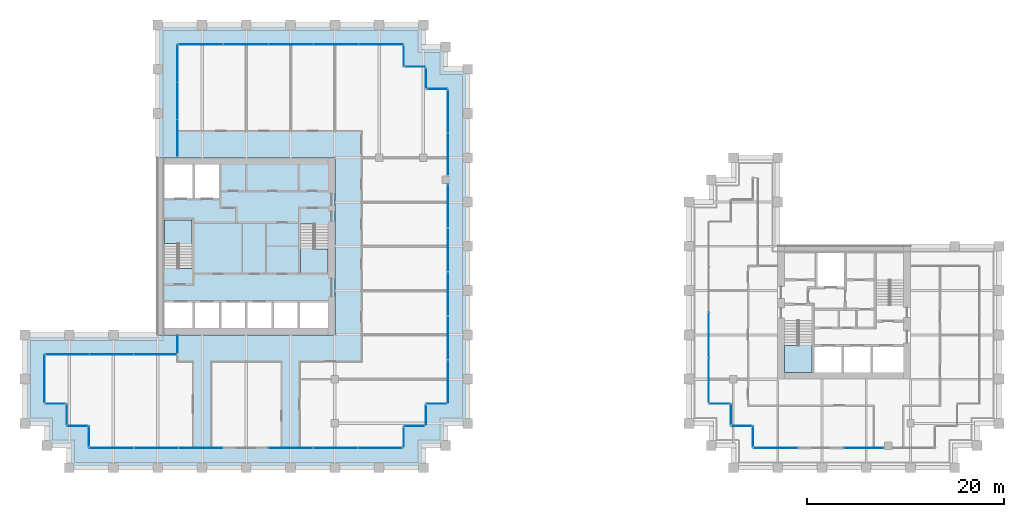
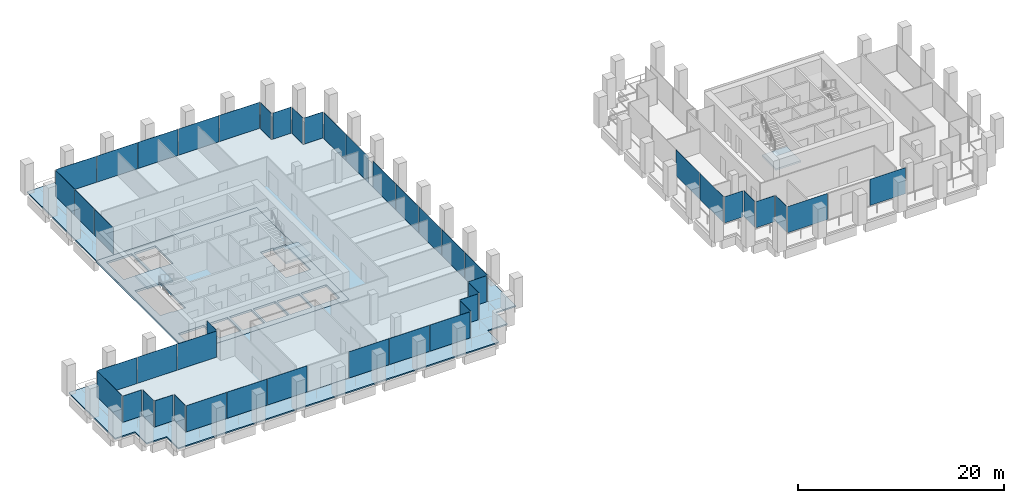
# One storey, part 39 of 46: 46 plates, 6 slabs, 31 elements without a shape of their own.
"""IFC4 building model written with IfcOpenShell, lengths in metres."""

import ifcopenshell
import ifcopenshell.guid

model = None  # the IFC model being written
_history = None  # IfcOwnerHistory: only IFC2X3 demands one
_inside = {}  # id of a spatial element -> (the spatial element, [elements in it])
_under = {}  # id of a project, library or spatial element -> (it, [spatial elements below it])
_declared = {}  # id of a project -> (the project, [libraries it declares])
_typed = {}  # id of a type object -> (the type object, [elements of that type])
_made_of = {}  # id of a material, layer set ... -> (it, [elements and type objects made of it])


def new_model(schema):
    """Start an empty IFC model of exactly this schema.

    Asked for "IFC4X3", IfcOpenShell would pick the latest addendum, in which some entities
    have other attributes; the version numbers below select the first issue.
    IFC2X3 requires an IfcOwnerHistory on every rooted entity: one is made here for all.
    """
    global model, _history
    if schema == "IFC4X3":
        model = ifcopenshell.file(schema_version=(4, 3, 0, 0))
    else:
        model = ifcopenshell.file(schema=schema)
    _inside.clear()
    _under.clear()
    _declared.clear()
    _typed.clear()
    _made_of.clear()
    _history = None
    if model.schema == "IFC2X3":
        org = make("IfcOrganization", Name="unknown")
        user = make(
            "IfcPersonAndOrganization",
            ThePerson=make("IfcPerson", FamilyName="unknown"),
            TheOrganization=org,
        )
        app = make(
            "IfcApplication",
            ApplicationDeveloper=org,
            Version="unknown",
            ApplicationFullName="unknown",
            ApplicationIdentifier="unknown",
        )
        _history = make(
            "IfcOwnerHistory",
            OwningUser=user,
            OwningApplication=app,
            ChangeAction="ADDED",
            CreationDate=0,
        )
    return model


def make(cls, **values):
    """One entity of the class cls with the attributes given. An attribute that is None is left unset."""
    return model.create_entity(
        cls, **{name: value for name, value in values.items() if value is not None}
    )


def rooted(cls, **values):
    """An entity with a GlobalId (a new one), such as an element, a storey or a relation."""
    return make(cls, GlobalId=ifcopenshell.guid.new(), OwnerHistory=_history, **values)


def si_unit(unit_type, name, prefix=None):
    """IfcSIUnit, for example si_unit("LENGTHUNIT", "METRE", prefix="MILLI")."""
    return make("IfcSIUnit", UnitType=unit_type, Prefix=prefix, Name=name)


def assignment(units):
    """IfcUnitAssignment: the units of a project."""
    return None if units is None else make("IfcUnitAssignment", Units=units)


def point(xyz):
    """IfcCartesianPoint."""
    return None if xyz is None else make("IfcCartesianPoint", Coordinates=xyz)


def direction(xyz):
    """IfcDirection."""
    return None if xyz is None else make("IfcDirection", DirectionRatios=xyz)


def frame(location, z_axis=None, x_axis=None):
    """IfcAxis2Placement3D, a coordinate frame: its origin and axes. An axis left out is left unset."""
    return make(
        "IfcAxis2Placement3D",
        Location=point(location),
        Axis=direction(z_axis),
        RefDirection=direction(x_axis),
    )


def frame_2d(location, x_axis=None):
    """IfcAxis2Placement2D, a coordinate frame in the plane: its origin and x axis."""
    return make(
        "IfcAxis2Placement2D", Location=point(location), RefDirection=direction(x_axis)
    )


def origin():
    """The frame at (0, 0, 0) with its axes left unset."""
    return frame((0.0, 0.0, 0.0))


def origin_2d():
    """The frame at (0, 0) in the plane with its x axis left unset."""
    return frame_2d((0.0, 0.0))


def place(relative_to, where):
    """IfcLocalPlacement: puts the frame where relative to a parent placement (None: the world)."""
    return make(
        "IfcLocalPlacement", PlacementRelTo=relative_to, RelativePlacement=where
    )


def context(
    kind, dimensions, precision=None, world=None, true_north=None, identifier=None
):
    """IfcGeometricRepresentationContext, for example the 3D "Model" context."""
    return make(
        "IfcGeometricRepresentationContext",
        ContextIdentifier=identifier,
        ContextType=kind,
        CoordinateSpaceDimension=dimensions,
        Precision=precision,
        WorldCoordinateSystem=world,
        TrueNorth=true_north,
    )


def subcontext(parent, identifier, kind, view, scale=None):
    """IfcGeometricRepresentationSubContext, for example "Body" below "Model"."""
    return make(
        "IfcGeometricRepresentationSubContext",
        ContextIdentifier=identifier,
        ContextType=kind,
        ParentContext=parent,
        TargetScale=scale,
        TargetView=view,
    )


def project(units=None, contexts=None):
    """IfcProject with its units and contexts."""
    return rooted(
        "IfcProject",
        Name="project",
        RepresentationContexts=contexts,
        UnitsInContext=assignment(units),
    )


def spatial(cls, under=None, at=None, **own):
    """A site, building, storey or space (cls), placed at a placement, below another one or the project."""
    s = rooted(cls, ObjectPlacement=at, **own)
    if under is not None:
        _under.setdefault(under.id(), (under, []))[1].append(s)
    return s


def polyline(points):
    """IfcPolyline through the points."""
    return make("IfcPolyline", Points=[point(p) for p in points])


def profile(cls, at=None, kind="AREA", **sizes):
    """A parametric profile (cls). Its sizes go by their IFC names, for example OverallWidth=200.0."""
    return make(cls, ProfileType=kind, Position=at, **sizes)


def rectangle(**sizes):
    """IfcRectangleProfileDef."""
    return profile("IfcRectangleProfileDef", **sizes)


def outline(outer, holes=None, kind="AREA"):
    """IfcArbitraryClosedProfileDef: a profile drawn as a closed curve; with holes, ...WithVoids."""
    if holes is None:
        return make("IfcArbitraryClosedProfileDef", ProfileType=kind, OuterCurve=outer)
    return make(
        "IfcArbitraryProfileDefWithVoids",
        ProfileType=kind,
        OuterCurve=outer,
        InnerCurves=holes,
    )


def extrude(swept, where, along, depth):
    """IfcExtrudedAreaSolid: the profile swept, set in the frame where, extruded along a direction by depth."""
    return make(
        "IfcExtrudedAreaSolid",
        SweptArea=swept,
        Position=where,
        ExtrudedDirection=direction(along),
        Depth=depth,
    )


def shape(context_of_items, identifier, shape_type, items):
    """IfcShapeRepresentation: the items that make up one representation, for example the "Body"."""
    return make(
        "IfcShapeRepresentation",
        ContextOfItems=context_of_items,
        RepresentationIdentifier=identifier,
        RepresentationType=shape_type,
        Items=items,
    )


def material(Name=None, Category=None):
    """IfcMaterial."""
    return make("IfcMaterial", Name=Name, Category=Category)


def layer(
    of_material, thickness, ventilated=None, Name=None, Category=None, Priority=None
):
    """IfcMaterialLayer: one layer of a wall or slab, of a material (None: an air gap)."""
    return make(
        "IfcMaterialLayer",
        Material=of_material,
        LayerThickness=thickness,
        IsVentilated=ventilated,
        Name=Name,
        Category=Category,
        Priority=Priority,
    )


def layer_set(layers, Name=None):
    """IfcMaterialLayerSet."""
    return make("IfcMaterialLayerSet", MaterialLayers=layers, LayerSetName=Name)


def made_of(thing, what):
    """Note that an element or type object is made of a material, layer set ...; save() writes the relation."""
    if what is not None:
        _made_of.setdefault(what.id(), (what, []))[1].append(thing)
    return thing


def type_object(cls, material=None, **own):
    """A type object (cls), such as IfcWallType, which elements share."""
    return made_of(rooted(cls, **own), material)


def element(
    cls,
    number,
    at=None,
    inside=None,
    cuts=None,
    type_object=None,
    material=None,
    context=None,
    identifier="Body",
    shape_type=None,
    held_by="IfcProductDefinitionShape",
    body=None,
    shapes=None,
    **own,
):
    """One element of the class cls, such as IfcWall. Its Tag is "e" and its number.

    at: its placement. inside: the storey or other place that contains it. cuts: it is an
    opening in that element (IfcRelVoidsElement). A single representation is given by context,
    identifier, shape_type and body (its items); several are given by shapes. held_by: the class
    of the entity that holds the representations. save() writes the other relations.
    """
    e = rooted(cls, Tag="e%d" % number, ObjectPlacement=at, **own)
    if body is not None:
        shapes = [shape(context, identifier, shape_type, body)]
    if shapes is not None:
        e.Representation = make(held_by, Representations=shapes)
    if inside is not None:
        _inside.setdefault(inside.id(), (inside, []))[1].append(e)
    if cuts is not None:
        rooted(
            "IfcRelVoidsElement", RelatingBuildingElement=cuts, RelatedOpeningElement=e
        )
    if type_object is not None:
        _typed.setdefault(type_object.id(), (type_object, []))[1].append(e)
    return made_of(e, material)


def aggregate(whole, parts):
    """IfcRelAggregates: a whole, such as a stair, and the parts it consists of."""
    return rooted("IfcRelAggregates", RelatingObject=whole, RelatedObjects=parts)


def save(model, path):
    """Write the relations noted so far, then the file.

    IfcRelAggregates (storeys below a building ...), IfcRelContainedInSpatialStructure (elements
    in a storey), IfcRelDefinesByType, IfcRelAssociatesMaterial and IfcRelDeclares: one each for
    every whole, place, type object, material and project.
    """
    for whole, parts in _under.values():
        aggregate(whole, parts)
    for where, things in _inside.values():
        rooted(
            "IfcRelContainedInSpatialStructure",
            RelatedElements=things,
            RelatingStructure=where,
        )
    for kind, things in _typed.values():
        rooted("IfcRelDefinesByType", RelatedObjects=things, RelatingType=kind)
    for what, things in _made_of.values():
        rooted("IfcRelAssociatesMaterial", RelatedObjects=things, RelatingMaterial=what)
    for by, libraries in _declared.values():
        rooted("IfcRelDeclares", RelatingContext=by, RelatedDefinitions=libraries)
    model.write(path)


model = new_model("IFC4")

# Units and contexts
model_context = context("Model", 3, precision=1e-05, world=origin(), true_north=direction((0.0, 1.0)))
body_context = subcontext(model_context, "Body", "Model", "MODEL_VIEW")
ifc_project = project(units=[si_unit("LENGTHUNIT", "METRE"), si_unit("AREAUNIT", "SQUARE_METRE"), si_unit("VOLUMEUNIT", "CUBIC_METRE"), si_unit("PLANEANGLEUNIT", "RADIAN"), si_unit("MASSUNIT", "GRAM", prefix="KILO")], contexts=[model_context])

# Site, building, storey
site_placement = place(None, origin())
site = spatial("IfcSite", under=ifc_project, at=site_placement, CompositionType="ELEMENT")
building_placement = place(site_placement, origin())
building = spatial("IfcBuilding", under=site, at=building_placement, Name="Altepetl Exchange Towers", CompositionType="ELEMENT")
storey_placement = place(building_placement, frame((0.0, 0.0, 131.60009765625)))
storey = spatial("IfcBuildingStorey", under=building, at=storey_placement, Name="L32", CompositionType="ELEMENT", Elevation=131.60009765625)

# Slabs
ifc_material_1 = material(Name="Concrete C40/50", Category="concrete")
ifc_layer_1 = layer(ifc_material_1, 0.14990234375)
ifc_layer_set_1 = layer_set([ifc_layer_1], Name="Concrete C40/50")
slab_type_1 = type_object("IfcSlabType", Name="Composite floor slab 150", PredefinedType="FLOOR", material=ifc_layer_set_1)
slab_1_placement = place(storey_placement, frame((0.0, 0.0, -0.150146484375)))
element("IfcSlab", 1, at=slab_1_placement, inside=storey, type_object=slab_type_1, Name="slab:A:L32:strip0", PredefinedType="FLOOR", context=body_context, shape_type="SweptSolid", body=[
    extrude(outline(polyline([(42.5, 70.0), (42.5, 58.5), (58.5, 58.5), (58.5, 40.5), (42.5, 40.5), (42.5, 38.5), (29.0, 38.5), (29.0, 33.5), (31.25, 33.5), (31.25, 31.25), (33.5, 31.25), (33.5, 29.0), (65.5, 29.0), (65.5, 31.25), (67.75, 31.25), (67.75, 33.5), (70.0, 33.5), (70.0, 65.5), (67.75, 65.5), (67.75, 67.75), (65.5, 67.75), (65.5, 70.0), (42.5, 70.0)])), origin(), (0.0, 0.0, 1.0), 0.150146484375),
])
ifc_layer_2 = layer(ifc_material_1, 0.25)
ifc_layer_set_2 = layer_set([ifc_layer_2], Name="Concrete C40/50")
slab_type_2 = type_object("IfcSlabType", Name="Core floor slab 250", PredefinedType="FLOOR", material=ifc_layer_set_2)
slab_2_placement = place(storey_placement, frame((0.0, 0.0, -0.25)))
element("IfcSlab", 2, at=slab_2_placement, inside=storey, type_object=slab_type_2, Name="slab:A:L32:core0", PredefinedType="FLOOR", context=body_context, shape_type="SweptSolid", body=[
    extrude(outline(polyline([(40.5, 40.5), (58.5, 40.5), (58.5, 58.5), (40.5, 58.5), (40.5, 40.5)]), holes=[polyline([(41.199951171875, 43.800048828125), (44.06689453125, 43.800048828125), (44.06689453125, 41.199951171875), (41.199951171875, 41.199951171875), (41.199951171875, 43.800048828125)]), polyline([(44.26708984375, 43.800048828125), (46.73291015625, 43.800048828125), (46.73291015625, 41.199951171875), (44.26708984375, 41.199951171875), (44.26708984375, 43.800048828125)]), polyline([(46.93310546875, 43.800048828125), (49.39990234375, 43.800048828125), (49.39990234375, 41.199951171875), (46.93310546875, 41.199951171875), (46.93310546875, 43.800048828125)]), polyline([(52.06689453125, 43.800048828125), (52.06689453125, 41.199951171875), (49.60009765625, 41.199951171875), (49.60009765625, 43.800048828125), (52.06689453125, 43.800048828125)]), polyline([(54.73291015625, 43.800048828125), (54.73291015625, 41.199951171875), (52.26708984375, 41.199951171875), (52.26708984375, 43.800048828125), (54.73291015625, 43.800048828125)]), polyline([(54.93310546875, 43.800048828125), (57.800048828125, 43.800048828125), (57.800048828125, 41.199951171875), (54.93310546875, 41.199951171875), (54.93310546875, 43.800048828125)]), polyline([(55.0, 51.7490234375), (56.449951171875, 51.7490234375), (56.449951171875, 51.64990234375), (57.800048828125, 51.64990234375), (57.800048828125, 46.800048828125), (55.0, 46.800048828125), (55.0, 51.7490234375)]), polyline([(44.0, 47.2509765625), (42.550048828125, 47.2509765625), (42.550048828125, 47.35009765625), (41.199951171875, 47.35009765625), (41.199951171875, 52.199951171875), (44.0, 52.199951171875), (44.0, 47.2509765625)]), polyline([(44.06689453125, 57.800048828125), (44.06689453125, 54.39990234375), (41.199951171875, 54.39990234375), (41.199951171875, 57.800048828125), (44.06689453125, 57.800048828125)]), polyline([(46.73291015625, 57.800048828125), (46.73291015625, 54.39990234375), (44.26708984375, 54.39990234375), (44.26708984375, 57.800048828125), (46.73291015625, 57.800048828125)])]), origin(), (0.0, 0.0, 1.0), 0.25),
])

# Curtain wall, plate
ifc_material_2 = material(Name="Aluminium 6063-T6 glazing", Category="aluminium")
curtain_wall_type = type_object("IfcCurtainWallType", Name="Loggia glazing system", PredefinedType="NOTDEFINED", material=ifc_material_2)
curtain_wall_1_placement = place(storey_placement, origin())
curtain_wall_1 = element("IfcCurtainWall", 3, at=curtain_wall_1_placement, inside=storey, type_object=curtain_wall_type, Name="CW1 run", PredefinedType="NOTDEFINED")
ifc_material_3 = material(Name="Glass 6-16-6 low emissivity", Category="glass")
ifc_layer_3 = layer(ifc_material_3, 0.028076171875)
ifc_layer_set_3 = layer_set([ifc_layer_3], Name="Glass 6-16-6 low emissivity")
plate_type = type_object("IfcPlateType", Name="Glass panel 28 double glazed", PredefinedType="CURTAIN_PANEL", material=ifc_layer_set_3)
plate_1_placement = place(storey_placement, frame((42.5, 39.53759765625, -0.000244140625), z_axis=(0.0, 0.0, 1.0), x_axis=(0.0, -1.0, 0.0)))
plate_1 = element("IfcPlate", 4, at=plate_1_placement, type_object=plate_type, Name="GP1 panel", PredefinedType="CURTAIN_PANEL", context=body_context, shape_type="SweptSolid", body=[
    extrude(rectangle(XDim=1.804931640625, YDim=0.028076171875, at=origin_2d()), origin(), (0.0, 0.0, 1.0), 3.10009765625),
])
aggregate(curtain_wall_1, [plate_1])

# Curtain wall, plates
curtain_wall_2_placement = place(storey_placement, origin())
curtain_wall_2 = element("IfcCurtainWall", 5, at=curtain_wall_2_placement, inside=storey, type_object=curtain_wall_type, Name="CW1 run", PredefinedType="NOTDEFINED")
plate_2_placement = place(storey_placement, frame((40.24755859375, 38.5, -0.000244140625), z_axis=(0.0, 0.0, 1.0), x_axis=(-1.0, 0.0, 0.0)))
plate_2 = element("IfcPlate", 6, at=plate_2_placement, type_object=plate_type, Name="GP1 panel", PredefinedType="CURTAIN_PANEL", context=body_context, shape_type="SweptSolid", body=[
    extrude(rectangle(XDim=4.385009765625, YDim=0.028076171875, at=origin_2d()), origin(), (0.0, 0.0, 1.0), 3.10009765625),
])
plate_3_placement = place(storey_placement, frame((35.78759765625, 38.5, -0.000244140625), z_axis=(0.0, 0.0, 1.0), x_axis=(-1.0, 0.0, 0.0)))
plate_3 = element("IfcPlate", 7, at=plate_3_placement, type_object=plate_type, Name="GP1 panel", PredefinedType="CURTAIN_PANEL", context=body_context, shape_type="SweptSolid", body=[
    extrude(rectangle(XDim=4.4150390625, YDim=0.028076171875, at=origin_2d()), origin(), (0.0, 0.0, 1.0), 3.10009765625),
])
plate_4_placement = place(storey_placement, frame((31.327392578125, 38.5, -0.000244140625), z_axis=(0.0, 0.0, 1.0), x_axis=(-1.0, 0.0, 0.0)))
plate_4 = element("IfcPlate", 8, at=plate_4_placement, type_object=plate_type, Name="GP1 panel", PredefinedType="CURTAIN_PANEL", context=body_context, shape_type="SweptSolid", body=[
    extrude(rectangle(XDim=4.385009765625, YDim=0.028076171875, at=origin_2d()), origin(), (0.0, 0.0, 1.0), 3.10009765625),
])
aggregate(curtain_wall_2, [plate_2, plate_3, plate_4])

# Curtain wall, plate
curtain_wall_3_placement = place(storey_placement, origin())
curtain_wall_3 = element("IfcCurtainWall", 9, at=curtain_wall_3_placement, inside=storey, type_object=curtain_wall_type, Name="CW1 run", PredefinedType="NOTDEFINED")
plate_5_placement = place(storey_placement, frame((29.0, 36.03759765625, -0.000244140625), z_axis=(0.0, 0.0, 1.0), x_axis=(0.0, -1.0, 0.0)))
plate_5 = element("IfcPlate", 10, at=plate_5_placement, type_object=plate_type, Name="GP1 panel", PredefinedType="CURTAIN_PANEL", context=body_context, shape_type="SweptSolid", body=[
    extrude(rectangle(XDim=4.804931640625, YDim=0.028076171875, at=origin_2d()), origin(), (0.0, 0.0, 1.0), 3.10009765625),
])
aggregate(curtain_wall_3, [plate_5])

curtain_wall_4_placement = place(storey_placement, origin())
curtain_wall_4 = element("IfcCurtainWall", 11, at=curtain_wall_4_placement, inside=storey, type_object=curtain_wall_type, Name="CW1 run", PredefinedType="NOTDEFINED")
plate_6_placement = place(storey_placement, frame((30.08740234375, 33.5, -0.000244140625)))
plate_6 = element("IfcPlate", 12, at=plate_6_placement, type_object=plate_type, Name="GP1 panel", PredefinedType="CURTAIN_PANEL", context=body_context, shape_type="SweptSolid", body=[
    extrude(rectangle(XDim=2.054931640625, YDim=0.028076171875, at=origin_2d()), origin(), (0.0, 0.0, 1.0), 3.10009765625),
])
aggregate(curtain_wall_4, [plate_6])

curtain_wall_5_placement = place(storey_placement, origin())
curtain_wall_5 = element("IfcCurtainWall", 13, at=curtain_wall_5_placement, inside=storey, type_object=curtain_wall_type, Name="CW1 run", PredefinedType="NOTDEFINED")
plate_7_placement = place(storey_placement, frame((31.25, 32.41259765625, -0.000244140625), z_axis=(0.0, 0.0, 1.0), x_axis=(0.0, -1.0, 0.0)))
plate_7 = element("IfcPlate", 14, at=plate_7_placement, type_object=plate_type, Name="GP1 panel", PredefinedType="CURTAIN_PANEL", context=body_context, shape_type="SweptSolid", body=[
    extrude(rectangle(XDim=2.054931640625, YDim=0.028076171875, at=origin_2d()), origin(), (0.0, 0.0, 1.0), 3.10009765625),
])
aggregate(curtain_wall_5, [plate_7])

curtain_wall_6_placement = place(storey_placement, origin())
curtain_wall_6 = element("IfcCurtainWall", 15, at=curtain_wall_6_placement, inside=storey, type_object=curtain_wall_type, Name="CW1 run", PredefinedType="NOTDEFINED")
plate_8_placement = place(storey_placement, frame((32.33740234375, 31.25, -0.000244140625)))
plate_8 = element("IfcPlate", 16, at=plate_8_placement, type_object=plate_type, Name="GP1 panel", PredefinedType="CURTAIN_PANEL", context=body_context, shape_type="SweptSolid", body=[
    extrude(rectangle(XDim=2.054931640625, YDim=0.028076171875, at=origin_2d()), origin(), (0.0, 0.0, 1.0), 3.10009765625),
])
aggregate(curtain_wall_6, [plate_8])

curtain_wall_7_placement = place(storey_placement, origin())
curtain_wall_7 = element("IfcCurtainWall", 17, at=curtain_wall_7_placement, inside=storey, type_object=curtain_wall_type, Name="CW1 run", PredefinedType="NOTDEFINED")
plate_9_placement = place(storey_placement, frame((33.5, 30.16259765625, -0.000244140625), z_axis=(0.0, 0.0, 1.0), x_axis=(0.0, -1.0, 0.0)))
plate_9 = element("IfcPlate", 18, at=plate_9_placement, type_object=plate_type, Name="GP1 panel", PredefinedType="CURTAIN_PANEL", context=body_context, shape_type="SweptSolid", body=[
    extrude(rectangle(XDim=2.054931640625, YDim=0.028076171875, at=origin_2d()), origin(), (0.0, 0.0, 1.0), 3.10009765625),
])
aggregate(curtain_wall_7, [plate_9])

# Curtain wall, plates
curtain_wall_8_placement = place(storey_placement, origin())
curtain_wall_8 = element("IfcCurtainWall", 19, at=curtain_wall_8_placement, inside=storey, type_object=curtain_wall_type, Name="CW1 run", PredefinedType="NOTDEFINED")
plate_10_placement = place(storey_placement, frame((35.79541015625, 29.0, -0.000244140625)))
plate_10 = element("IfcPlate", 20, at=plate_10_placement, type_object=plate_type, Name="GP1 panel", PredefinedType="CURTAIN_PANEL", context=body_context, shape_type="SweptSolid", body=[
    extrude(rectangle(XDim=4.470703125, YDim=0.028076171875, at=origin_2d()), origin(), (0.0, 0.0, 1.0), 3.10009765625),
])
plate_11_placement = place(storey_placement, frame((40.341064453125, 29.0, -0.000244140625)))
plate_11 = element("IfcPlate", 21, at=plate_11_placement, type_object=plate_type, Name="GP1 panel", PredefinedType="CURTAIN_PANEL", context=body_context, shape_type="SweptSolid", body=[
    extrude(rectangle(XDim=4.500732421875, YDim=0.028076171875, at=origin_2d()), origin(), (0.0, 0.0, 1.0), 3.10009765625),
])
plate_12_placement = place(storey_placement, frame((44.88671875, 29.0, -0.000244140625)))
plate_12 = element("IfcPlate", 22, at=plate_12_placement, type_object=plate_type, Name="GP1 panel", PredefinedType="CURTAIN_PANEL", context=body_context, shape_type="SweptSolid", body=[
    extrude(rectangle(XDim=4.470703125, YDim=0.028076171875, at=origin_2d()), origin(), (0.0, 0.0, 1.0), 3.10009765625),
])
aggregate(curtain_wall_8, [plate_10, plate_11, plate_12])

curtain_wall_9_placement = place(storey_placement, origin())
curtain_wall_9 = element("IfcCurtainWall", 23, at=curtain_wall_9_placement, inside=storey, type_object=curtain_wall_type, Name="CW1 run", PredefinedType="NOTDEFINED")
plate_13_placement = place(storey_placement, frame((54.038330078125, 29.0, -0.000244140625)))
plate_13 = element("IfcPlate", 24, at=plate_13_placement, type_object=plate_type, Name="GP1 panel", PredefinedType="CURTAIN_PANEL", context=body_context, shape_type="SweptSolid", body=[
    extrude(rectangle(XDim=4.470703125, YDim=0.028076171875, at=origin_2d()), origin(), (0.0, 0.0, 1.0), 3.10009765625),
])
plate_14_placement = place(storey_placement, frame((58.583984375, 29.0, -0.000244140625)))
plate_14 = element("IfcPlate", 25, at=plate_14_placement, type_object=plate_type, Name="GP1 panel", PredefinedType="CURTAIN_PANEL", context=body_context, shape_type="SweptSolid", body=[
    extrude(rectangle(XDim=4.500732421875, YDim=0.028076171875, at=origin_2d()), origin(), (0.0, 0.0, 1.0), 3.10009765625),
])
plate_15_placement = place(storey_placement, frame((63.129638671875, 29.0, -0.000244140625)))
plate_15 = element("IfcPlate", 26, at=plate_15_placement, type_object=plate_type, Name="GP1 panel", PredefinedType="CURTAIN_PANEL", context=body_context, shape_type="SweptSolid", body=[
    extrude(rectangle(XDim=4.470703125, YDim=0.028076171875, at=origin_2d()), origin(), (0.0, 0.0, 1.0), 3.10009765625),
])
aggregate(curtain_wall_9, [plate_13, plate_14, plate_15])

# Curtain wall, plate
curtain_wall_10_placement = place(storey_placement, origin())
curtain_wall_10 = element("IfcCurtainWall", 27, at=curtain_wall_10_placement, inside=storey, type_object=curtain_wall_type, Name="CW1 run", PredefinedType="NOTDEFINED")
plate_16_placement = place(storey_placement, frame((65.5, 30.08740234375, -0.000244140625), z_axis=(0.0, 0.0, 1.0), x_axis=(0.0, 1.0, 0.0)))
plate_16 = element("IfcPlate", 28, at=plate_16_placement, type_object=plate_type, Name="GP1 panel", PredefinedType="CURTAIN_PANEL", context=body_context, shape_type="SweptSolid", body=[
    extrude(rectangle(XDim=2.054931640625, YDim=0.028076171875, at=origin_2d()), origin(), (0.0, 0.0, 1.0), 3.10009765625),
])
aggregate(curtain_wall_10, [plate_16])

curtain_wall_11_placement = place(storey_placement, origin())
curtain_wall_11 = element("IfcCurtainWall", 29, at=curtain_wall_11_placement, inside=storey, type_object=curtain_wall_type, Name="CW1 run", PredefinedType="NOTDEFINED")
plate_17_placement = place(storey_placement, frame((66.58740234375, 31.25, -0.000244140625)))
plate_17 = element("IfcPlate", 30, at=plate_17_placement, type_object=plate_type, Name="GP1 panel", PredefinedType="CURTAIN_PANEL", context=body_context, shape_type="SweptSolid", body=[
    extrude(rectangle(XDim=2.054931640625, YDim=0.028076171875, at=origin_2d()), origin(), (0.0, 0.0, 1.0), 3.10009765625),
])
aggregate(curtain_wall_11, [plate_17])

curtain_wall_12_placement = place(storey_placement, origin())
curtain_wall_12 = element("IfcCurtainWall", 31, at=curtain_wall_12_placement, inside=storey, type_object=curtain_wall_type, Name="CW1 run", PredefinedType="NOTDEFINED")
plate_18_placement = place(storey_placement, frame((67.75, 32.33740234375, -0.000244140625), z_axis=(0.0, 0.0, 1.0), x_axis=(0.0, 1.0, 0.0)))
plate_18 = element("IfcPlate", 32, at=plate_18_placement, type_object=plate_type, Name="GP1 panel", PredefinedType="CURTAIN_PANEL", context=body_context, shape_type="SweptSolid", body=[
    extrude(rectangle(XDim=2.054931640625, YDim=0.028076171875, at=origin_2d()), origin(), (0.0, 0.0, 1.0), 3.10009765625),
])
aggregate(curtain_wall_12, [plate_18])

curtain_wall_13_placement = place(storey_placement, origin())
curtain_wall_13 = element("IfcCurtainWall", 33, at=curtain_wall_13_placement, inside=storey, type_object=curtain_wall_type, Name="CW1 run", PredefinedType="NOTDEFINED")
plate_19_placement = place(storey_placement, frame((68.83740234375, 33.5, -0.000244140625)))
plate_19 = element("IfcPlate", 34, at=plate_19_placement, type_object=plate_type, Name="GP1 panel", PredefinedType="CURTAIN_PANEL", context=body_context, shape_type="SweptSolid", body=[
    extrude(rectangle(XDim=2.054931640625, YDim=0.028076171875, at=origin_2d()), origin(), (0.0, 0.0, 1.0), 3.10009765625),
])
aggregate(curtain_wall_13, [plate_19])

# Curtain wall, plates
curtain_wall_14_placement = place(storey_placement, origin())
curtain_wall_14 = element("IfcCurtainWall", 35, at=curtain_wall_14_placement, inside=storey, type_object=curtain_wall_type, Name="CW1 run", PredefinedType="NOTDEFINED")
plate_20_placement = place(storey_placement, frame((70.0, 35.75048828125, -0.000244140625), z_axis=(0.0, 0.0, 1.0), x_axis=(0.0, 1.0, 0.0)))
plate_20 = element("IfcPlate", 36, at=plate_20_placement, type_object=plate_type, Name="GP1 panel", PredefinedType="CURTAIN_PANEL", context=body_context, shape_type="SweptSolid", body=[
    extrude(rectangle(XDim=4.381103515625, YDim=0.028076171875, at=origin_2d()), origin(), (0.0, 0.0, 1.0), 3.10009765625),
])
plate_21_placement = place(storey_placement, frame((70.0, 40.20654296875, -0.000244140625), z_axis=(0.0, 0.0, 1.0), x_axis=(0.0, 1.0, 0.0)))
plate_21 = element("IfcPlate", 37, at=plate_21_placement, type_object=plate_type, Name="GP1 panel", PredefinedType="CURTAIN_PANEL", context=body_context, shape_type="SweptSolid", body=[
    extrude(rectangle(XDim=4.410888671875, YDim=0.028076171875, at=origin_2d()), origin(), (0.0, 0.0, 1.0), 3.10009765625),
])
plate_22_placement = place(storey_placement, frame((70.0, 44.677490234375, -0.000244140625), z_axis=(0.0, 0.0, 1.0), x_axis=(0.0, 1.0, 0.0)))
plate_22 = element("IfcPlate", 38, at=plate_22_placement, type_object=plate_type, Name="GP1 panel", PredefinedType="CURTAIN_PANEL", context=body_context, shape_type="SweptSolid", body=[
    extrude(rectangle(XDim=4.410888671875, YDim=0.028076171875, at=origin_2d()), origin(), (0.0, 0.0, 1.0), 3.10009765625),
])
plate_23_placement = place(storey_placement, frame((70.0, 49.1484375, -0.000244140625), z_axis=(0.0, 0.0, 1.0), x_axis=(0.0, 1.0, 0.0)))
plate_23 = element("IfcPlate", 39, at=plate_23_placement, type_object=plate_type, Name="GP1 panel", PredefinedType="CURTAIN_PANEL", context=body_context, shape_type="SweptSolid", body=[
    extrude(rectangle(XDim=4.410888671875, YDim=0.028076171875, at=origin_2d()), origin(), (0.0, 0.0, 1.0), 3.10009765625),
])
plate_24_placement = place(storey_placement, frame((70.0, 53.6044921875, -0.000244140625), z_axis=(0.0, 0.0, 1.0), x_axis=(0.0, 1.0, 0.0)))
plate_24 = element("IfcPlate", 40, at=plate_24_placement, type_object=plate_type, Name="GP1 panel", PredefinedType="CURTAIN_PANEL", context=body_context, shape_type="SweptSolid", body=[
    extrude(rectangle(XDim=4.381103515625, YDim=0.028076171875, at=origin_2d()), origin(), (0.0, 0.0, 1.0), 3.10009765625),
])
aggregate(curtain_wall_14, [plate_20, plate_21, plate_22, plate_23, plate_24])

curtain_wall_15_placement = place(storey_placement, origin())
curtain_wall_15 = element("IfcCurtainWall", 41, at=curtain_wall_15_placement, inside=storey, type_object=curtain_wall_type, Name="CW1 run", PredefinedType="NOTDEFINED")
plate_25_placement = place(storey_placement, frame((70.0, 58.85498046875, -0.000244140625), z_axis=(0.0, 0.0, 1.0), x_axis=(0.0, 1.0, 0.0)))
plate_25 = element("IfcPlate", 42, at=plate_25_placement, type_object=plate_type, Name="GP1 panel", PredefinedType="CURTAIN_PANEL", context=body_context, shape_type="SweptSolid", body=[
    extrude(rectangle(XDim=4.300048828125, YDim=0.028076171875, at=origin_2d()), origin(), (0.0, 0.0, 1.0), 3.10009765625),
])
plate_26_placement = place(storey_placement, frame((70.0, 63.215087890625, -0.000244140625), z_axis=(0.0, 0.0, 1.0), x_axis=(0.0, 1.0, 0.0)))
plate_26 = element("IfcPlate", 43, at=plate_26_placement, type_object=plate_type, Name="GP1 panel", PredefinedType="CURTAIN_PANEL", context=body_context, shape_type="SweptSolid", body=[
    extrude(rectangle(XDim=4.300048828125, YDim=0.028076171875, at=origin_2d()), origin(), (0.0, 0.0, 1.0), 3.10009765625),
])
aggregate(curtain_wall_15, [plate_25, plate_26])

# Curtain wall, plate
curtain_wall_16_placement = place(storey_placement, origin())
curtain_wall_16 = element("IfcCurtainWall", 44, at=curtain_wall_16_placement, inside=storey, type_object=curtain_wall_type, Name="CW1 run", PredefinedType="NOTDEFINED")
plate_27_placement = place(storey_placement, frame((68.91259765625, 65.5, -0.000244140625), z_axis=(0.0, 0.0, 1.0), x_axis=(-1.0, 0.0, 0.0)))
plate_27 = element("IfcPlate", 45, at=plate_27_placement, type_object=plate_type, Name="GP1 panel", PredefinedType="CURTAIN_PANEL", context=body_context, shape_type="SweptSolid", body=[
    extrude(rectangle(XDim=2.054931640625, YDim=0.028076171875, at=origin_2d()), origin(), (0.0, 0.0, 1.0), 3.10009765625),
])
aggregate(curtain_wall_16, [plate_27])

curtain_wall_17_placement = place(storey_placement, origin())
curtain_wall_17 = element("IfcCurtainWall", 46, at=curtain_wall_17_placement, inside=storey, type_object=curtain_wall_type, Name="CW1 run", PredefinedType="NOTDEFINED")
plate_28_placement = place(storey_placement, frame((67.75, 66.58740234375, -0.000244140625), z_axis=(0.0, 0.0, 1.0), x_axis=(0.0, 1.0, 0.0)))
plate_28 = element("IfcPlate", 47, at=plate_28_placement, type_object=plate_type, Name="GP1 panel", PredefinedType="CURTAIN_PANEL", context=body_context, shape_type="SweptSolid", body=[
    extrude(rectangle(XDim=2.054931640625, YDim=0.028076171875, at=origin_2d()), origin(), (0.0, 0.0, 1.0), 3.10009765625),
])
aggregate(curtain_wall_17, [plate_28])

curtain_wall_18_placement = place(storey_placement, origin())
curtain_wall_18 = element("IfcCurtainWall", 48, at=curtain_wall_18_placement, inside=storey, type_object=curtain_wall_type, Name="CW1 run", PredefinedType="NOTDEFINED")
plate_29_placement = place(storey_placement, frame((66.66259765625, 67.75, -0.000244140625), z_axis=(0.0, 0.0, 1.0), x_axis=(-1.0, 0.0, 0.0)))
plate_29 = element("IfcPlate", 49, at=plate_29_placement, type_object=plate_type, Name="GP1 panel", PredefinedType="CURTAIN_PANEL", context=body_context, shape_type="SweptSolid", body=[
    extrude(rectangle(XDim=2.054931640625, YDim=0.028076171875, at=origin_2d()), origin(), (0.0, 0.0, 1.0), 3.10009765625),
])
aggregate(curtain_wall_18, [plate_29])

curtain_wall_19_placement = place(storey_placement, origin())
curtain_wall_19 = element("IfcCurtainWall", 50, at=curtain_wall_19_placement, inside=storey, type_object=curtain_wall_type, Name="CW1 run", PredefinedType="NOTDEFINED")
plate_30_placement = place(storey_placement, frame((65.5, 68.83740234375, -0.000244140625), z_axis=(0.0, 0.0, 1.0), x_axis=(0.0, 1.0, 0.0)))
plate_30 = element("IfcPlate", 51, at=plate_30_placement, type_object=plate_type, Name="GP1 panel", PredefinedType="CURTAIN_PANEL", context=body_context, shape_type="SweptSolid", body=[
    extrude(rectangle(XDim=2.054931640625, YDim=0.028076171875, at=origin_2d()), origin(), (0.0, 0.0, 1.0), 3.10009765625),
])
aggregate(curtain_wall_19, [plate_30])

# Curtain wall, plates
curtain_wall_20_placement = place(storey_placement, origin())
curtain_wall_20 = element("IfcCurtainWall", 52, at=curtain_wall_20_placement, inside=storey, type_object=curtain_wall_type, Name="CW1 run", PredefinedType="NOTDEFINED")
plate_31_placement = place(storey_placement, frame((63.1923828125, 70.0, -0.000244140625), z_axis=(0.0, 0.0, 1.0), x_axis=(-1.0, 0.0, 0.0)))
plate_31 = element("IfcPlate", 53, at=plate_31_placement, type_object=plate_type, Name="GP1 panel", PredefinedType="CURTAIN_PANEL", context=body_context, shape_type="SweptSolid", body=[
    extrude(rectangle(XDim=4.4951171875, YDim=0.028076171875, at=origin_2d()), origin(), (0.0, 0.0, 1.0), 3.10009765625),
])
plate_32_placement = place(storey_placement, frame((58.62255859375, 70.0, -0.000244140625), z_axis=(0.0, 0.0, 1.0), x_axis=(-1.0, 0.0, 0.0)))
plate_32 = element("IfcPlate", 54, at=plate_32_placement, type_object=plate_type, Name="GP1 panel", PredefinedType="CURTAIN_PANEL", context=body_context, shape_type="SweptSolid", body=[
    extrude(rectangle(XDim=4.52490234375, YDim=0.028076171875, at=origin_2d()), origin(), (0.0, 0.0, 1.0), 3.10009765625),
])
plate_33_placement = place(storey_placement, frame((54.03759765625, 70.0, -0.000244140625), z_axis=(0.0, 0.0, 1.0), x_axis=(-1.0, 0.0, 0.0)))
plate_33 = element("IfcPlate", 55, at=plate_33_placement, type_object=plate_type, Name="GP1 panel", PredefinedType="CURTAIN_PANEL", context=body_context, shape_type="SweptSolid", body=[
    extrude(rectangle(XDim=4.52490234375, YDim=0.028076171875, at=origin_2d()), origin(), (0.0, 0.0, 1.0), 3.10009765625),
])
plate_34_placement = place(storey_placement, frame((49.452392578125, 70.0, -0.000244140625), z_axis=(0.0, 0.0, 1.0), x_axis=(-1.0, 0.0, 0.0)))
plate_34 = element("IfcPlate", 56, at=plate_34_placement, type_object=plate_type, Name="GP1 panel", PredefinedType="CURTAIN_PANEL", context=body_context, shape_type="SweptSolid", body=[
    extrude(rectangle(XDim=4.52490234375, YDim=0.028076171875, at=origin_2d()), origin(), (0.0, 0.0, 1.0), 3.10009765625),
])
plate_35_placement = place(storey_placement, frame((44.882568359375, 70.0, -0.000244140625), z_axis=(0.0, 0.0, 1.0), x_axis=(-1.0, 0.0, 0.0)))
plate_35 = element("IfcPlate", 57, at=plate_35_placement, type_object=plate_type, Name="GP1 panel", PredefinedType="CURTAIN_PANEL", context=body_context, shape_type="SweptSolid", body=[
    extrude(rectangle(XDim=4.4951171875, YDim=0.028076171875, at=origin_2d()), origin(), (0.0, 0.0, 1.0), 3.10009765625),
])
aggregate(curtain_wall_20, [plate_31, plate_32, plate_33, plate_34, plate_35])

curtain_wall_21_placement = place(storey_placement, origin())
curtain_wall_21 = element("IfcCurtainWall", 58, at=curtain_wall_21_placement, inside=storey, type_object=curtain_wall_type, Name="CW1 run", PredefinedType="NOTDEFINED")
plate_36_placement = place(storey_placement, frame((42.5, 68.080810546875, -0.000244140625), z_axis=(0.0, 0.0, 1.0), x_axis=(0.0, -1.0, 0.0)))
plate_36 = element("IfcPlate", 59, at=plate_36_placement, type_object=plate_type, Name="GP1 panel", PredefinedType="CURTAIN_PANEL", context=body_context, shape_type="SweptSolid", body=[
    extrude(rectangle(XDim=3.71826171875, YDim=0.028076171875, at=origin_2d()), origin(), (0.0, 0.0, 1.0), 3.10009765625),
])
plate_37_placement = place(storey_placement, frame((42.5, 64.28759765625, -0.000244140625), z_axis=(0.0, 0.0, 1.0), x_axis=(0.0, -1.0, 0.0)))
plate_37 = element("IfcPlate", 60, at=plate_37_placement, type_object=plate_type, Name="GP1 panel", PredefinedType="CURTAIN_PANEL", context=body_context, shape_type="SweptSolid", body=[
    extrude(rectangle(XDim=3.748291015625, YDim=0.028076171875, at=origin_2d()), origin(), (0.0, 0.0, 1.0), 3.10009765625),
])
plate_38_placement = place(storey_placement, frame((42.5, 60.494140625, -0.000244140625), z_axis=(0.0, 0.0, 1.0), x_axis=(0.0, -1.0, 0.0)))
plate_38 = element("IfcPlate", 61, at=plate_38_placement, type_object=plate_type, Name="GP1 panel", PredefinedType="CURTAIN_PANEL", context=body_context, shape_type="SweptSolid", body=[
    extrude(rectangle(XDim=3.71826171875, YDim=0.028076171875, at=origin_2d()), origin(), (0.0, 0.0, 1.0), 3.10009765625),
])
aggregate(curtain_wall_21, [plate_36, plate_37, plate_38])

curtain_wall_22_placement = place(storey_placement, origin())
curtain_wall_22 = element("IfcCurtainWall", 62, at=curtain_wall_22_placement, inside=storey, type_object=curtain_wall_type, Name="CW1 run", PredefinedType="NOTDEFINED")
plate_39_placement = place(storey_placement, frame((96.5, 40.484375, -0.000244140625), z_axis=(0.0, 0.0, 1.0), x_axis=(0.0, -1.0, 0.0)))
plate_39 = element("IfcPlate", 63, at=plate_39_placement, type_object=plate_type, Name="GP1 panel", PredefinedType="CURTAIN_PANEL", context=body_context, shape_type="SweptSolid", body=[
    extrude(rectangle(XDim=4.546142578125, YDim=0.028076171875, at=origin_2d()), origin(), (0.0, 0.0, 1.0), 3.10009765625),
])
plate_40_placement = place(storey_placement, frame((96.5, 35.89306640625, -0.000244140625), z_axis=(0.0, 0.0, 1.0), x_axis=(0.0, -1.0, 0.0)))
plate_40 = element("IfcPlate", 64, at=plate_40_placement, type_object=plate_type, Name="GP1 panel", PredefinedType="CURTAIN_PANEL", context=body_context, shape_type="SweptSolid", body=[
    extrude(rectangle(XDim=4.516357421875, YDim=0.028076171875, at=origin_2d()), origin(), (0.0, 0.0, 1.0), 3.10009765625),
])
aggregate(curtain_wall_22, [plate_39, plate_40])

# Curtain wall, plate
curtain_wall_23_placement = place(storey_placement, origin())
curtain_wall_23 = element("IfcCurtainWall", 65, at=curtain_wall_23_placement, inside=storey, type_object=curtain_wall_type, Name="CW1 run", PredefinedType="NOTDEFINED")
plate_41_placement = place(storey_placement, frame((97.58740234375, 33.5, -0.000244140625)))
plate_41 = element("IfcPlate", 66, at=plate_41_placement, type_object=plate_type, Name="GP1 panel", PredefinedType="CURTAIN_PANEL", context=body_context, shape_type="SweptSolid", body=[
    extrude(rectangle(XDim=2.054931640625, YDim=0.028076171875, at=origin_2d()), origin(), (0.0, 0.0, 1.0), 3.10009765625),
])
aggregate(curtain_wall_23, [plate_41])

curtain_wall_24_placement = place(storey_placement, origin())
curtain_wall_24 = element("IfcCurtainWall", 67, at=curtain_wall_24_placement, inside=storey, type_object=curtain_wall_type, Name="CW1 run", PredefinedType="NOTDEFINED")
plate_42_placement = place(storey_placement, frame((98.75, 32.41259765625, -0.000244140625), z_axis=(0.0, 0.0, 1.0), x_axis=(0.0, -1.0, 0.0)))
plate_42 = element("IfcPlate", 68, at=plate_42_placement, type_object=plate_type, Name="GP1 panel", PredefinedType="CURTAIN_PANEL", context=body_context, shape_type="SweptSolid", body=[
    extrude(rectangle(XDim=2.054931640625, YDim=0.028076171875, at=origin_2d()), origin(), (0.0, 0.0, 1.0), 3.10009765625),
])
aggregate(curtain_wall_24, [plate_42])

curtain_wall_25_placement = place(storey_placement, origin())
curtain_wall_25 = element("IfcCurtainWall", 69, at=curtain_wall_25_placement, inside=storey, type_object=curtain_wall_type, Name="CW1 run", PredefinedType="NOTDEFINED")
plate_43_placement = place(storey_placement, frame((99.83740234375, 31.25, -0.000244140625)))
plate_43 = element("IfcPlate", 70, at=plate_43_placement, type_object=plate_type, Name="GP1 panel", PredefinedType="CURTAIN_PANEL", context=body_context, shape_type="SweptSolid", body=[
    extrude(rectangle(XDim=2.054931640625, YDim=0.028076171875, at=origin_2d()), origin(), (0.0, 0.0, 1.0), 3.10009765625),
])
aggregate(curtain_wall_25, [plate_43])

curtain_wall_26_placement = place(storey_placement, origin())
curtain_wall_26 = element("IfcCurtainWall", 71, at=curtain_wall_26_placement, inside=storey, type_object=curtain_wall_type, Name="CW1 run", PredefinedType="NOTDEFINED")
plate_44_placement = place(storey_placement, frame((101.0, 30.16259765625, -0.000244140625), z_axis=(0.0, 0.0, 1.0), x_axis=(0.0, -1.0, 0.0)))
plate_44 = element("IfcPlate", 72, at=plate_44_placement, type_object=plate_type, Name="GP1 panel", PredefinedType="CURTAIN_PANEL", context=body_context, shape_type="SweptSolid", body=[
    extrude(rectangle(XDim=2.054931640625, YDim=0.028076171875, at=origin_2d()), origin(), (0.0, 0.0, 1.0), 3.10009765625),
])
aggregate(curtain_wall_26, [plate_44])

curtain_wall_27_placement = place(storey_placement, origin())
curtain_wall_27 = element("IfcCurtainWall", 73, at=curtain_wall_27_placement, inside=storey, type_object=curtain_wall_type, Name="CW1 run", PredefinedType="NOTDEFINED")
plate_45_placement = place(storey_placement, frame((103.30322265625, 29.0, -0.000244140625)))
plate_45 = element("IfcPlate", 74, at=plate_45_placement, type_object=plate_type, Name="GP1 panel", PredefinedType="CURTAIN_PANEL", context=body_context, shape_type="SweptSolid", body=[
    extrude(rectangle(XDim=4.486328125, YDim=0.028076171875, at=origin_2d()), origin(), (0.0, 0.0, 1.0), 3.10009765625),
])
aggregate(curtain_wall_27, [plate_45])

curtain_wall_28_placement = place(storey_placement, origin())
curtain_wall_28 = element("IfcCurtainWall", 75, at=curtain_wall_28_placement, inside=storey, type_object=curtain_wall_type, Name="CW1 run", PredefinedType="NOTDEFINED")
plate_46_placement = place(storey_placement, frame((112.28369140625, 29.0, -0.000244140625)))
plate_46 = element("IfcPlate", 76, at=plate_46_placement, type_object=plate_type, Name="GP1 panel", PredefinedType="CURTAIN_PANEL", context=body_context, shape_type="SweptSolid", body=[
    extrude(rectangle(XDim=4.0224609375, YDim=0.028076171875, at=origin_2d()), origin(), (0.0, 0.0, 1.0), 3.10009765625),
])
aggregate(curtain_wall_28, [plate_46])

# Slab
ifc_layer_4 = layer(ifc_material_1, 0.14990234375)
ifc_layer_set_4 = layer_set([ifc_layer_4], Name="Concrete C40/50")
slab_type_3 = type_object("IfcSlabType", Name="Loggia slab 150", PredefinedType="FLOOR", material=ifc_layer_set_4)
slab_3_placement = place(storey_placement, frame((0.0, 0.0, -0.150146484375)))
element("IfcSlab", 77, at=slab_3_placement, inside=storey, type_object=slab_type_3, Name="slab:A:L32:loggia0", PredefinedType="FLOOR", context=body_context, shape_type="SweptSolid", body=[
    extrude(outline(polyline([(40.5, 72.0), (40.5, 58.5), (42.5, 58.5), (42.5, 70.0), (65.5, 70.0), (65.5, 67.75), (67.75, 67.75), (67.75, 65.5), (70.0, 65.5), (70.0, 33.5), (67.75, 33.5), (67.75, 31.25), (65.5, 31.25), (65.5, 29.0), (33.5, 29.0), (33.5, 31.25), (31.25, 31.25), (31.25, 33.5), (29.0, 33.5), (29.0, 38.5), (42.5, 38.5), (42.5, 40.5), (40.5, 40.5), (27.0, 40.5), (27.0, 31.5), (29.25, 31.5), (29.25, 29.25), (31.5, 29.25), (31.5, 27.0), (58.5, 27.0), (67.5, 27.0), (67.5, 29.25), (69.75, 29.25), (69.75, 31.5), (72.0, 31.5), (72.0, 58.5), (72.0, 67.5), (69.75, 67.5), (69.75, 69.75), (67.5, 69.75), (67.5, 72.0), (40.5, 72.0)])), origin(), (0.0, 0.0, 1.0), 0.150146484375),
])

# Stair, slab
stair_type = type_object("IfcStairType", Name="Exit stair 1350 flights dogleg", PredefinedType="HALF_TURN_STAIR", material=ifc_material_1)
stair_1_placement = place(storey_placement, origin())
stair_1 = element("IfcStair", 78, at=stair_1_placement, inside=storey, type_object=stair_type, Name="Exit stair 1", PredefinedType="HALF_TURN_STAIR")
ifc_layer_5 = layer(ifc_material_1, 0.199951171875)
ifc_layer_set_5 = layer_set([ifc_layer_5], Name="Concrete C40/50")
slab_type_4 = type_object("IfcSlabType", Name="Stair landing 200 reinforced concrete", PredefinedType="LANDING", material=ifc_layer_set_5)
slab_4_placement = place(storey_placement, frame((0.0, 0.0, 1.599853515625)))
slab_4 = element("IfcSlab", 79, at=slab_4_placement, type_object=slab_type_4, Name="ST-A1d landing 1", PredefinedType="LANDING", context=body_context, shape_type="SweptSolid", body=[
    extrude(outline(polyline([(44.0, 49.669921875), (42.64990234375, 49.669921875), (42.64990234375, 49.77001953125), (42.550048828125, 49.77001953125), (42.550048828125, 49.769287109375), (41.199951171875, 49.769287109375), (41.199951171875, 49.77001953125), (41.199951171875, 52.199951171875), (44.0, 52.199951171875), (44.0, 49.77001953125), (44.0, 49.669921875)])), origin(), (0.0, 0.0, 1.0), 0.199951171875),
])
aggregate(stair_1, [slab_4])

stair_2_placement = place(storey_placement, origin())
stair_2 = element("IfcStair", 80, at=stair_2_placement, inside=storey, type_object=stair_type, Name="Exit stair 2", PredefinedType="HALF_TURN_STAIR")
slab_5_placement = place(storey_placement, frame((0.0, 0.0, 1.599853515625)))
slab_5 = element("IfcSlab", 81, at=slab_5_placement, type_object=slab_type_4, Name="ST-A2d landing 1", PredefinedType="LANDING", context=body_context, shape_type="SweptSolid", body=[
    extrude(outline(polyline([(57.800048828125, 46.800048828125), (55.0, 46.800048828125), (55.0, 49.22998046875), (55.0, 49.330078125), (56.35009765625, 49.330078125), (56.35009765625, 49.22998046875), (56.449951171875, 49.22998046875), (56.449951171875, 49.230712890625), (57.800048828125, 49.230712890625), (57.800048828125, 49.22998046875), (57.800048828125, 46.800048828125)])), origin(), (0.0, 0.0, 1.0), 0.199951171875),
])
aggregate(stair_2, [slab_5])

stair_3_placement = place(storey_placement, origin())
stair_3 = element("IfcStair", 82, at=stair_3_placement, inside=storey, type_object=stair_type, Name="Exit stair 1", PredefinedType="HALF_TURN_STAIR")
slab_6_placement = place(storey_placement, frame((0.0, 0.0, 1.599853515625)))
slab_6 = element("IfcSlab", 83, at=slab_6_placement, type_object=slab_type_4, Name="ST-B1d landing 1", PredefinedType="LANDING", context=body_context, shape_type="SweptSolid", body=[
    extrude(outline(polyline([(107.0, 36.699951171875), (104.199951171875, 36.699951171875), (104.199951171875, 39.429931640625), (104.199951171875, 39.4306640625), (105.550048828125, 39.4306640625), (105.550048828125, 39.429931640625), (105.64990234375, 39.429931640625), (105.64990234375, 39.530029296875), (107.0, 39.530029296875), (107.0, 39.429931640625), (107.0, 36.699951171875)])), origin(), (0.0, 0.0, 1.0), 0.199951171875),
])
aggregate(stair_3, [slab_6])

save(model, "model.ifc")
